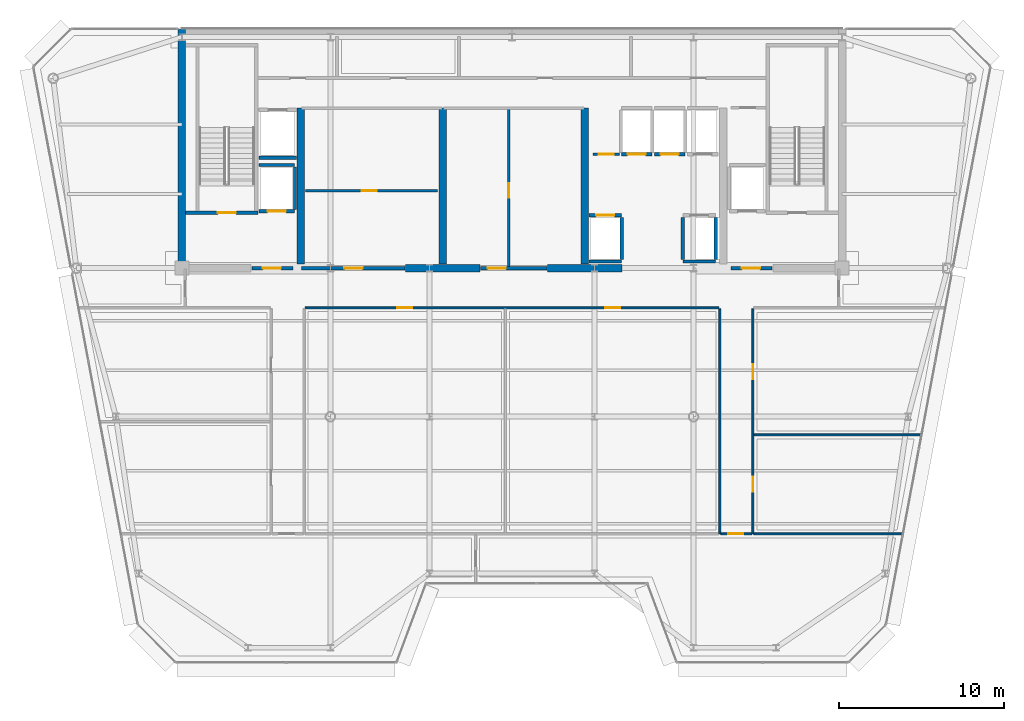
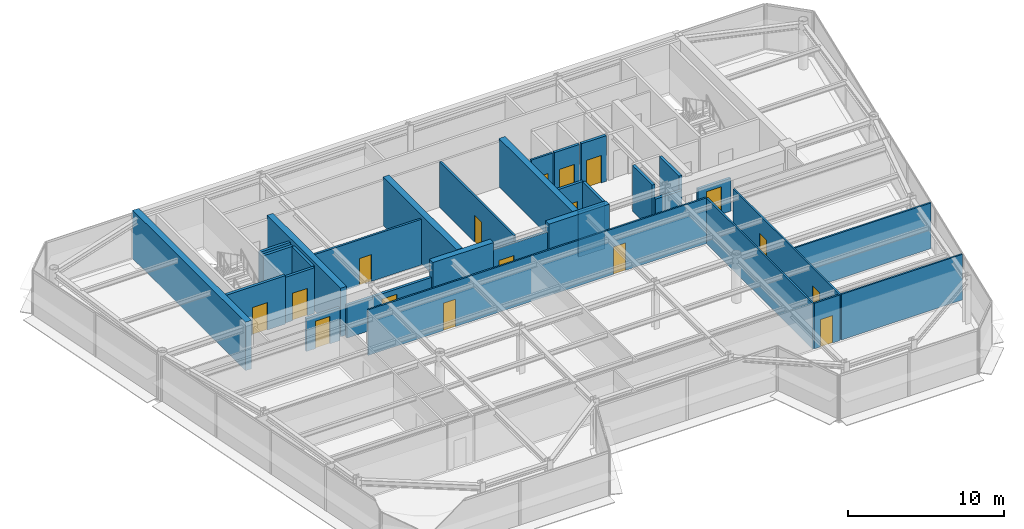
# One storey, part 11 of 20: 32 walls, 17 doors, 17 openings.
"""IFC4 building model written with IfcOpenShell, lengths in metres."""

from ifc_helpers import new_model, si_unit, direction, frame, frame_2d, origin, place, context, subcontext, project, spatial, rectangle, extrude, source, transform, mapped, material, layer, layer_set, type_object, element, fill, save


model = new_model("IFC4")

# Units and contexts
model_context = context("Model", 3, precision=1e-05, world=origin(), true_north=direction((0.0, 1.0)))
body_context = subcontext(model_context, "Body", "Model", "MODEL_VIEW")
ifc_project = project(units=[si_unit("LENGTHUNIT", "METRE"), si_unit("AREAUNIT", "SQUARE_METRE"), si_unit("VOLUMEUNIT", "CUBIC_METRE"), si_unit("PLANEANGLEUNIT", "RADIAN"), si_unit("MASSUNIT", "GRAM", prefix="KILO")], contexts=[model_context])

# Site, building, storey
site_placement = place(None, origin())
site = spatial("IfcSite", under=ifc_project, at=site_placement, CompositionType="ELEMENT")
building_placement = place(site_placement, origin())
building = spatial("IfcBuilding", under=site, at=building_placement, Name="Vaeldorn Concourse Tower", CompositionType="ELEMENT")
storey_placement = place(building_placement, frame((0.0, 0.0, 284.0)))
storey = spatial("IfcBuildingStorey", under=building, at=storey_placement, Name="L73", CompositionType="ELEMENT", Elevation=284.0)

# Walls
ifc_material_1 = material(Name="Concrete C50/60", Category="concrete")
ifc_layer_1 = layer(ifc_material_1, 0.449951171875)
ifc_layer_set_1 = layer_set([ifc_layer_1], Name="Concrete C50/60")
wall_type_1 = type_object("IfcWallType", Name="WL-CORE-450", PredefinedType="SHEAR", material=ifc_layer_set_1)
wall_1_placement = place(storey_placement, frame((14.0, 36.5, 0.0), z_axis=(0.0, 0.0, 1.0), x_axis=(0.0, 1.0, 0.0)))
element("IfcWall", 1, at=wall_1_placement, inside=storey, type_object=wall_type_1, Name="Rear Core Shear Wall L73 W1", PredefinedType="SHEAR", context=body_context, shape_type="SweptSolid", body=[
    extrude(rectangle(XDim=14.5, YDim=0.449951171875, at=frame_2d((7.25, 0.0))), origin(), (0.0, 0.0, 1.0), 3.800048828125),
])
for number, where, z_axis, x_axis, name in (
    (2, (27.550048828125, 36.5, 0.0), (0.0, 0.0, 1.0), (1.0, 0.0, 0.0), "Rear Core Shear Wall L73 S2"),
    (3, (36.14990234375, 36.5, 0.0), (0.0, 0.0, 1.0), (1.0, 0.0, 0.0), "Rear Core Shear Wall L73 S3"),
):
    element("IfcWall", number, at=place(storey_placement, frame(where, z_axis=z_axis, x_axis=x_axis)), inside=storey, type_object=wall_type_1, Name=name, PredefinedType="SHEAR", context=body_context, shape_type="SweptSolid", body=[
        extrude(rectangle(XDim=4.5, YDim=0.449951171875, at=frame_2d((2.25, 0.0))), origin(), (0.0, 0.0, 1.0), 3.800048828125),
    ])
for number, where, z_axis, x_axis, name in (
    (4, (21.199951171875, 36.7451171875, 0.0), (0.0, 0.0, 1.0), (0.0, 1.0, 0.0), "Rear Core Shear Wall L73 M1"),
    (5, (29.800048828125, 36.7451171875, 0.0), (0.0, 0.0, 1.0), (0.0, 1.0, 0.0), "Rear Core Shear Wall L73 M2"),
    (6, (38.39990234375, 36.7451171875, 0.0), (0.0, 0.0, 1.0), (0.0, 1.0, 0.0), "Rear Core Shear Wall L73 M3"),
):
    element("IfcWall", number, at=place(storey_placement, frame(where, z_axis=z_axis, x_axis=x_axis)), inside=storey, type_object=wall_type_1, Name=name, PredefinedType="SHEAR", context=body_context, shape_type="SweptSolid", body=[
        extrude(rectangle(XDim=9.454833984375, YDim=0.449951171875, at=frame_2d((4.7275390625, 0.0))), origin(), (0.0, 0.0, 1.0), 3.800048828125),
    ])

# Wall, openings, doors
ifc_material_2 = material(Name="Gypsum Board Partition", Category="gypsum")
ifc_layer_2 = layer(ifc_material_2, 0.1201171875)
ifc_layer_set_2 = layer_set([ifc_layer_2], Name="Gypsum Board Partition")
wall_type_2 = type_object("IfcWallType", Name="WL-PART-120", PredefinedType="PARTITIONING", material=ifc_layer_set_2)
wall_2_placement = place(storey_placement, frame((21.4599609375, 34.10009765625, 0.0), z_axis=(0.0, 0.0, 1.0), x_axis=(1.0, 0.0, 0.0)))
wall_2 = element("IfcWall", 7, at=wall_2_placement, inside=storey, type_object=wall_type_2, Name="Interior Wall PW-L73-CEWS", PredefinedType="PARTITIONING", context=body_context, shape_type="SweptSolid", body=[
    extrude(rectangle(XDim=25.080078125, YDim=0.1201171875, at=frame_2d((12.5400390625, 0.0))), origin(), (0.0, 0.0, 1.0), 3.580078125),
])
opening_1_placement = place(wall_2_placement, frame((5.590087890625, 0.0, 0.0)))
opening_1 = element("IfcOpeningElement", 8, at=opening_1_placement, cuts=wall_2, Name="Opening D-03", PredefinedType="OPENING", context=body_context, shape_type="SweptSolid", body=[
    extrude(rectangle(XDim=0.89990234375, YDim=2.14990234375, at=frame_2d((0.449951171875, 1.074951171875))), frame((0.0, 0.070068359375, 0.0), z_axis=(0.0, -1.0, 0.0), x_axis=(1.0, 0.0, 0.0)), (0.0, 0.0, 1.0), 0.14013671875),
])
opening_2_placement = place(wall_2_placement, frame((18.18994140625, 0.0, 0.0)))
opening_2 = element("IfcOpeningElement", 9, at=opening_2_placement, cuts=wall_2, Name="Opening D-03", PredefinedType="OPENING", context=body_context, shape_type="SweptSolid", body=[
    extrude(rectangle(XDim=0.89990234375, YDim=2.14990234375, at=frame_2d((0.449951171875, 1.074951171875))), frame((0.0, 0.070068359375, 0.0), z_axis=(0.0, -1.0, 0.0), x_axis=(1.0, 0.0, 0.0)), (0.0, 0.0, 1.0), 0.14013671875),
])
ifc_material_3 = material(Name="Acoustic Bronze-Framed Glass Door", Category="glass")
door_type_1 = type_object("IfcDoorType", Name="DR-INT-900", OperationType="NOTDEFINED", PredefinedType="DOOR", material=ifc_material_3)
shared_shape_1 = source(origin(), body_context, "Body", "SweptSolid", [
    extrude(rectangle(XDim=0.89990234375, YDim=2.14990234375, at=frame_2d((0.449951171875, 1.074951171875))), frame((0.0, 0.02490234375, 0.0), z_axis=(0.0, -1.0, 0.0), x_axis=(1.0, 0.0, 0.0)), (0.0, 0.0, 1.0), 0.050048828125),
])
door_1_placement = place(opening_1_placement, origin())
door_1 = element("IfcDoor", 10, at=door_1_placement, inside=storey, type_object=door_type_1, Name="Interior Door DR-L73-H1", OperationType="SINGLE_SWING_LEFT", OverallHeight=2.14990234375, OverallWidth=0.89990234375, PredefinedType="DOOR", context=body_context, shape_type="MappedRepresentation", body=[
    mapped(shared_shape_1, transform((0.0, 0.0, 0.0), scale=1.0)),
])
fill(opening_1, door_1)
door_2_placement = place(opening_2_placement, origin())
door_2 = element("IfcDoor", 11, at=door_2_placement, inside=storey, type_object=door_type_1, Name="Interior Door DR-L73-H2", OperationType="SINGLE_SWING_RIGHT", OverallHeight=2.14990234375, OverallWidth=0.89990234375, PredefinedType="DOOR", context=body_context, shape_type="MappedRepresentation", body=[
    mapped(shared_shape_1, transform((0.0, 0.0, 0.0), scale=1.0)),
])
fill(opening_2, door_2)

# Wall
wall_3_placement = place(storey_placement, frame((46.60009765625, 20.39990234375, 0.0), z_axis=(0.0, 0.0, 1.0), x_axis=(0.0, 1.0, 0.0)))
element("IfcWall", 12, at=wall_3_placement, inside=storey, type_object=wall_type_2, Name="Interior Wall PW-L73-CEW", PredefinedType="PARTITIONING", context=body_context, shape_type="SweptSolid", body=[
    extrude(rectangle(XDim=13.64013671875, YDim=0.1201171875, at=frame_2d((6.820068359375, 0.0))), origin(), (0.0, 0.0, 1.0), 3.580078125),
])

# Wall, openings, doors
wall_4_placement = place(storey_placement, frame((48.60009765625, 20.39990234375, 0.0), z_axis=(0.0, 0.0, 1.0), x_axis=(0.0, 1.0, 0.0)))
wall_4 = element("IfcWall", 13, at=wall_4_placement, inside=storey, type_object=wall_type_2, Name="Interior Wall PW-L73-CEE", PredefinedType="PARTITIONING", context=body_context, shape_type="SweptSolid", body=[
    extrude(rectangle(XDim=13.64013671875, YDim=0.1201171875, at=frame_2d((6.820068359375, 0.0))), origin(), (0.0, 0.0, 1.0), 3.580078125),
])
opening_3_placement = place(wall_4_placement, frame((2.550048828125, 0.0, 0.0)))
opening_3 = element("IfcOpeningElement", 14, at=opening_3_placement, cuts=wall_4, Name="Opening D-03", PredefinedType="OPENING", context=body_context, shape_type="SweptSolid", body=[
    extrude(rectangle(XDim=0.89990234375, YDim=2.14990234375, at=frame_2d((0.449951171875, 1.074951171875))), frame((0.0, 0.070068359375, 0.0), z_axis=(0.0, -1.0, 0.0), x_axis=(1.0, 0.0, 0.0)), (0.0, 0.0, 1.0), 0.14013671875),
])
opening_4_placement = place(wall_4_placement, frame((9.3701171875, 0.0, 0.0)))
opening_4 = element("IfcOpeningElement", 15, at=opening_4_placement, cuts=wall_4, Name="Opening D-03", PredefinedType="OPENING", context=body_context, shape_type="SweptSolid", body=[
    extrude(rectangle(XDim=0.89990234375, YDim=2.14990234375, at=frame_2d((0.449951171875, 1.074951171875))), frame((0.0, 0.070068359375, 0.0), z_axis=(0.0, -1.0, 0.0), x_axis=(1.0, 0.0, 0.0)), (0.0, 0.0, 1.0), 0.14013671875),
])
door_3_placement = place(opening_3_placement, origin())
door_3 = element("IfcDoor", 16, at=door_3_placement, inside=storey, type_object=door_type_1, Name="Interior Door DR-L73-E1", OperationType="SINGLE_SWING_RIGHT", OverallHeight=2.14990234375, OverallWidth=0.89990234375, PredefinedType="DOOR", context=body_context, shape_type="MappedRepresentation", body=[
    mapped(shared_shape_1, transform((0.0, 0.0, 0.0), scale=1.0)),
])
fill(opening_3, door_3)
door_4_placement = place(opening_4_placement, origin())
door_4 = element("IfcDoor", 17, at=door_4_placement, inside=storey, type_object=door_type_1, Name="Interior Door DR-L73-E2", OperationType="SINGLE_SWING_LEFT", OverallHeight=2.14990234375, OverallWidth=0.89990234375, PredefinedType="DOOR", context=body_context, shape_type="MappedRepresentation", body=[
    mapped(shared_shape_1, transform((0.0, 0.0, 0.0), scale=1.0)),
])
fill(opening_4, door_4)

# Wall, opening, door
wall_5_placement = place(storey_placement, frame((46.659912109375, 20.39990234375, 0.0), z_axis=(0.0, 0.0, 1.0), x_axis=(1.0, 0.0, 0.0)))
wall_5 = element("IfcWall", 18, at=wall_5_placement, inside=storey, type_object=wall_type_2, Name="Interior Wall PW-L73-CES", PredefinedType="PARTITIONING", context=body_context, shape_type="SweptSolid", body=[
    extrude(rectangle(XDim=1.880126953125, YDim=0.1201171875, at=frame_2d((0.93994140625, 0.0))), origin(), (0.0, 0.0, 1.0), 3.580078125),
])
opening_5_placement = place(wall_5_placement, frame((0.449951171875, 0.0, 0.0)))
opening_5 = element("IfcOpeningElement", 19, at=opening_5_placement, cuts=wall_5, Name="Opening D-03", PredefinedType="OPENING", context=body_context, shape_type="SweptSolid", body=[
    extrude(rectangle(XDim=0.89990234375, YDim=2.14990234375, at=frame_2d((0.449951171875, 1.074951171875))), frame((0.0, 0.070068359375, 0.0), z_axis=(0.0, -1.0, 0.0), x_axis=(1.0, 0.0, 0.0)), (0.0, 0.0, 1.0), 0.14013671875),
])
door_5_placement = place(opening_5_placement, origin())
door_5 = element("IfcDoor", 20, at=door_5_placement, inside=storey, type_object=door_type_1, Name="Interior Door DR-L73-SEL", OperationType="SINGLE_SWING_RIGHT", OverallHeight=2.14990234375, OverallWidth=0.89990234375, PredefinedType="DOOR", context=body_context, shape_type="MappedRepresentation", body=[
    mapped(shared_shape_1, transform((0.0, 0.0, 0.0), scale=1.0)),
])
fill(opening_5, door_5)

# Walls
wall_6_placement = place(storey_placement, frame((48.659912109375, 20.39990234375, 0.0), z_axis=(0.0, 0.0, 1.0), x_axis=(1.0, 0.0, 0.0)))
element("IfcWall", 21, at=wall_6_placement, inside=storey, type_object=wall_type_2, Name="Interior Wall PW-L73-EY0", PredefinedType="PARTITIONING", context=body_context, shape_type="SweptSolid", body=[
    extrude(rectangle(XDim=8.9951171875, YDim=0.1201171875, at=frame_2d((4.49755859375, 0.0))), origin(), (0.0, 0.0, 1.0), 3.580078125),
])
wall_7_placement = place(storey_placement, frame((48.659912109375, 26.39990234375, 0.0), z_axis=(0.0, 0.0, 1.0), x_axis=(1.0, 0.0, 0.0)))
element("IfcWall", 22, at=wall_7_placement, inside=storey, type_object=wall_type_2, Name="Interior Wall PW-L73-EY1", PredefinedType="PARTITIONING", context=body_context, shape_type="SweptSolid", body=[
    extrude(rectangle(XDim=10.119873046875, YDim=0.1201171875, at=frame_2d((5.06005859375, 0.0))), origin(), (0.0, 0.0, 1.0), 3.580078125),
])

# Wall, opening, door
ifc_layer_3 = layer(ifc_material_2, 0.14990234375)
ifc_layer_set_3 = layer_set([ifc_layer_3], Name="Gypsum Board Partition")
wall_type_3 = type_object("IfcWallType", Name="WL-PART-150", PredefinedType="PARTITIONING", material=ifc_layer_set_3)
wall_8_placement = place(storey_placement, frame((21.5, 41.199951171875, 0.0), z_axis=(0.0, 0.0, 1.0), x_axis=(1.0, 0.0, 0.0)))
wall_8 = element("IfcWall", 23, at=wall_8_placement, inside=storey, type_object=wall_type_3, Name="Interior Wall CW-L73-R1M", PredefinedType="PARTITIONING", context=body_context, shape_type="SweptSolid", body=[
    extrude(rectangle(XDim=8.0, YDim=0.14990234375, at=frame_2d((4.0, 0.0))), origin(), (0.0, 0.0, 1.0), 3.580078125),
])
opening_6_placement = place(wall_8_placement, frame((3.39990234375, 0.0, 0.0)))
opening_6 = element("IfcOpeningElement", 24, at=opening_6_placement, cuts=wall_8, Name="Opening D-02", PredefinedType="OPENING", context=body_context, shape_type="SweptSolid", body=[
    extrude(rectangle(XDim=0.89990234375, YDim=2.10009765625, at=frame_2d((0.449951171875, 1.050048828125))), frame((0.0, 0.0849609375, 0.0), z_axis=(0.0, -1.0, 0.0), x_axis=(1.0, 0.0, 0.0)), (0.0, 0.0, 1.0), 0.169921875),
])
ifc_material_4 = material(Name="Fire-Rated Timber Leaf", Category="wood")
door_type_2 = type_object("IfcDoorType", Name="DR-FD30-900", OperationType="NOTDEFINED", PredefinedType="DOOR", material=ifc_material_4)
shared_shape_2 = source(origin(), body_context, "Body", "SweptSolid", [
    extrude(rectangle(XDim=0.89990234375, YDim=2.10009765625, at=frame_2d((0.449951171875, 1.050048828125))), frame((0.0, 0.02490234375, 0.0), z_axis=(0.0, -1.0, 0.0), x_axis=(1.0, 0.0, 0.0)), (0.0, 0.0, 1.0), 0.050048828125),
])
door_6_placement = place(opening_6_placement, origin())
door_6 = element("IfcDoor", 25, at=door_6_placement, inside=storey, type_object=door_type_2, Name="Interior Door DR-L73-R1M", OperationType="SINGLE_SWING_RIGHT", OverallHeight=2.10009765625, OverallWidth=0.89990234375, PredefinedType="DOOR", context=body_context, shape_type="MappedRepresentation", body=[
    mapped(shared_shape_2, transform((0.0, 0.0, 0.0), scale=1.0)),
])
fill(opening_6, door_6)

wall_9_placement = place(storey_placement, frame((33.800048828125, 36.56005859375, 0.0), z_axis=(0.0, 0.0, 1.0), x_axis=(0.0, 1.0, 0.0)))
wall_9 = element("IfcWall", 26, at=wall_9_placement, inside=storey, type_object=wall_type_3, Name="Interior Wall CW-L73-R2M", PredefinedType="PARTITIONING", context=body_context, shape_type="SweptSolid", body=[
    extrude(rectangle(XDim=9.579833984375, YDim=0.14990234375, at=frame_2d((4.7900390625, 0.0))), origin(), (0.0, 0.0, 1.0), 3.580078125),
])
opening_7_placement = place(wall_9_placement, frame((4.199951171875, 0.0, 0.0)))
opening_7 = element("IfcOpeningElement", 27, at=opening_7_placement, cuts=wall_9, Name="Opening D-02", PredefinedType="OPENING", context=body_context, shape_type="SweptSolid", body=[
    extrude(rectangle(XDim=0.89990234375, YDim=2.10009765625, at=frame_2d((0.449951171875, 1.050048828125))), frame((0.0, 0.0849609375, 0.0), z_axis=(0.0, -1.0, 0.0), x_axis=(1.0, 0.0, 0.0)), (0.0, 0.0, 1.0), 0.169921875),
])
door_7_placement = place(opening_7_placement, origin())
door_7 = element("IfcDoor", 28, at=door_7_placement, inside=storey, type_object=door_type_2, Name="Interior Door DR-L73-R2E", OperationType="SINGLE_SWING_RIGHT", OverallHeight=2.10009765625, OverallWidth=0.89990234375, PredefinedType="DOOR", context=body_context, shape_type="MappedRepresentation", body=[
    mapped(shared_shape_2, transform((0.0, 0.0, 0.0), scale=1.0)),
])
fill(opening_7, door_7)

wall_10_placement = place(storey_placement, frame((38.919921875, 43.39990234375, 0.0), z_axis=(0.0, 0.0, 1.0), x_axis=(1.0, 0.0, 0.0)))
wall_10 = element("IfcWall", 29, at=wall_10_placement, inside=storey, type_object=wall_type_3, Name="Interior Wall CW-L73-CCLINK", PredefinedType="PARTITIONING", context=body_context, shape_type="SweptSolid", body=[
    extrude(rectangle(XDim=1.60009765625, YDim=0.14990234375, at=frame_2d((0.800048828125, 0.0))), origin(), (0.0, 0.0, 1.0), 3.580078125),
])
opening_8_placement = place(wall_10_placement, frame((0.35009765625, 0.0, 0.0)))
opening_8 = element("IfcOpeningElement", 30, at=opening_8_placement, cuts=wall_10, Name="Opening D-02", PredefinedType="OPENING", context=body_context, shape_type="SweptSolid", body=[
    extrude(rectangle(XDim=0.89990234375, YDim=2.10009765625, at=frame_2d((0.449951171875, 1.050048828125))), frame((0.0, 0.0849609375, 0.0), z_axis=(0.0, -1.0, 0.0), x_axis=(1.0, 0.0, 0.0)), (0.0, 0.0, 1.0), 0.169921875),
])
door_8_placement = place(opening_8_placement, origin())
door_8 = element("IfcDoor", 31, at=door_8_placement, inside=storey, type_object=door_type_2, Name="Interior Door DR-L73-CCLINK", OperationType="SINGLE_SWING_LEFT", OverallHeight=2.10009765625, OverallWidth=0.89990234375, PredefinedType="DOOR", context=body_context, shape_type="MappedRepresentation", body=[
    mapped(shared_shape_2, transform((0.0, 0.0, 0.0), scale=1.0)),
])
fill(opening_8, door_8)

ifc_layer_4 = layer(ifc_material_1, 0.199951171875)
ifc_layer_set_4 = layer_set([ifc_layer_4], Name="Concrete C50/60")
wall_type_4 = type_object("IfcWallType", Name="WL-SHAFT-200", PredefinedType="SOLIDWALL", material=ifc_layer_set_4)
wall_11_placement = place(storey_placement, frame((14.22509765625, 39.85009765625, 0.0), z_axis=(0.0, 0.0, 1.0), x_axis=(1.0, 0.0, 0.0)))
wall_11 = element("IfcWall", 32, at=wall_11_placement, inside=storey, type_object=wall_type_4, Name="Stair Shaft Wall CW-L73-ST-1-S", PredefinedType="SOLIDWALL", context=body_context, shape_type="SweptSolid", body=[
    extrude(rectangle(XDim=4.375, YDim=0.199951171875, at=frame_2d((2.1875, 0.0))), origin(), (0.0, 0.0, 1.0), 3.800048828125),
])
opening_9_placement = place(wall_11_placement, frame((1.949951171875, 0.0, 0.0)))
opening_9 = element("IfcOpeningElement", 33, at=opening_9_placement, cuts=wall_11, Name="Opening D-01", PredefinedType="OPENING", context=body_context, shape_type="SweptSolid", body=[
    extrude(rectangle(XDim=1.10009765625, YDim=2.14990234375, at=frame_2d((0.550048828125, 1.074951171875))), frame((0.0, 0.10986328125, 0.0), z_axis=(0.0, -1.0, 0.0), x_axis=(1.0, 0.0, 0.0)), (0.0, 0.0, 1.0), 0.219970703125),
])
ifc_material_5 = material(Name="Fire-Rated Timber and Steel Leaf", Category="steel")
door_type_3 = type_object("IfcDoorType", Name="DR-FD60-1100", OperationType="NOTDEFINED", PredefinedType="DOOR", material=ifc_material_5)
shared_shape_3 = source(origin(), body_context, "Body", "SweptSolid", [
    extrude(rectangle(XDim=1.10009765625, YDim=2.14990234375, at=frame_2d((0.550048828125, 1.074951171875))), frame((0.0, 0.02490234375, 0.0), z_axis=(0.0, -1.0, 0.0), x_axis=(1.0, 0.0, 0.0)), (0.0, 0.0, 1.0), 0.050048828125),
])
door_9_placement = place(opening_9_placement, origin())
door_9 = element("IfcDoor", 34, at=door_9_placement, inside=storey, type_object=door_type_3, Name="Interior Door DR-L73-ST-1", OperationType="SINGLE_SWING_LEFT", OverallHeight=2.14990234375, OverallWidth=1.10009765625, PredefinedType="DOOR", context=body_context, shape_type="MappedRepresentation", body=[
    mapped(shared_shape_3, transform((0.0, 0.0, 0.0), scale=1.0)),
])
fill(opening_9, door_9)

wall_12_placement = place(storey_placement, frame((18.25, 36.5, 0.0), z_axis=(0.0, 0.0, 1.0), x_axis=(1.0, 0.0, 0.0)))
wall_12 = element("IfcWall", 35, at=wall_12_placement, inside=storey, type_object=wall_type_4, Name="Interior Wall CW-L73-FF1S", PredefinedType="SOLIDWALL", context=body_context, shape_type="SweptSolid", body=[
    extrude(rectangle(XDim=2.469970703125, YDim=0.199951171875, at=frame_2d((1.23486328125, 0.0))), origin(), (0.0, 0.0, 1.0), 2.570068359375),
])
opening_10_placement = place(wall_12_placement, frame((0.64990234375, 0.0, 0.0)))
opening_10 = element("IfcOpeningElement", 36, at=opening_10_placement, cuts=wall_12, Name="Opening D-01", PredefinedType="OPENING", context=body_context, shape_type="SweptSolid", body=[
    extrude(rectangle(XDim=1.10009765625, YDim=2.14990234375, at=frame_2d((0.550048828125, 1.074951171875))), frame((0.0, 0.10986328125, 0.0), z_axis=(0.0, -1.0, 0.0), x_axis=(1.0, 0.0, 0.0)), (0.0, 0.0, 1.0), 0.219970703125),
])
door_10_placement = place(opening_10_placement, origin())
door_10 = element("IfcDoor", 37, at=door_10_placement, inside=storey, type_object=door_type_3, Name="Interior Door DR-L73-FF1E", OperationType="SINGLE_SWING_RIGHT", OverallHeight=2.14990234375, OverallWidth=1.10009765625, PredefinedType="DOOR", context=body_context, shape_type="MappedRepresentation", body=[
    mapped(shared_shape_3, transform((0.0, 0.0, 0.0), scale=1.0)),
])
fill(opening_10, door_10)

wall_13_placement = place(storey_placement, frame((47.280029296875, 36.5, 0.0), z_axis=(0.0, 0.0, 1.0), x_axis=(1.0, 0.0, 0.0)))
wall_13 = element("IfcWall", 38, at=wall_13_placement, inside=storey, type_object=wall_type_4, Name="Interior Wall CW-L73-FF2S", PredefinedType="SOLIDWALL", context=body_context, shape_type="SweptSolid", body=[
    extrude(rectangle(XDim=2.469970703125, YDim=0.199951171875, at=frame_2d((1.23486328125, 0.0))), origin(), (0.0, 0.0, 1.0), 2.570068359375),
])
opening_11_placement = place(wall_13_placement, frame((0.64990234375, 0.0, 0.0)))
opening_11 = element("IfcOpeningElement", 39, at=opening_11_placement, cuts=wall_13, Name="Opening D-01", PredefinedType="OPENING", context=body_context, shape_type="SweptSolid", body=[
    extrude(rectangle(XDim=1.10009765625, YDim=2.14990234375, at=frame_2d((0.550048828125, 1.074951171875))), frame((0.0, 0.10986328125, 0.0), z_axis=(0.0, -1.0, 0.0), x_axis=(1.0, 0.0, 0.0)), (0.0, 0.0, 1.0), 0.219970703125),
])
door_11_placement = place(opening_11_placement, origin())
door_11 = element("IfcDoor", 40, at=door_11_placement, inside=storey, type_object=door_type_3, Name="Interior Door DR-L73-FF2W", OperationType="SINGLE_SWING_LEFT", OverallHeight=2.14990234375, OverallWidth=1.10009765625, PredefinedType="DOOR", context=body_context, shape_type="MappedRepresentation", body=[
    mapped(shared_shape_3, transform((0.0, 0.0, 0.0), scale=1.0)),
])
fill(opening_11, door_11)

wall_14_placement = place(storey_placement, frame((38.669921875, 39.699951171875, 0.0), z_axis=(0.0, 0.0, 1.0), x_axis=(1.0, 0.0, 0.0)))
wall_14 = element("IfcWall", 41, at=wall_14_placement, inside=storey, type_object=wall_type_4, Name="Interior Wall CW-L73-LF-LF-13", PredefinedType="SOLIDWALL", context=body_context, shape_type="SweptSolid", body=[
    extrude(rectangle(XDim=1.9599609375, YDim=0.199951171875, at=frame_2d((0.97998046875, 0.0))), origin(), (0.0, 0.0, 1.0), 3.580078125),
])
opening_12_placement = place(wall_14_placement, frame((0.429931640625, 0.0, 0.0)))
opening_12 = element("IfcOpeningElement", 42, at=opening_12_placement, cuts=wall_14, Name="Opening LD-1", PredefinedType="OPENING", context=body_context, shape_type="SweptSolid", body=[
    extrude(rectangle(XDim=1.10009765625, YDim=2.14990234375, at=frame_2d((0.550048828125, 1.074951171875))), frame((0.0, 0.10986328125, 0.0), z_axis=(0.0, -1.0, 0.0), x_axis=(1.0, 0.0, 0.0)), (0.0, 0.0, 1.0), 0.219970703125),
])
ifc_material_6 = material(Name="Anodised Bronze Aluminium", Category="aluminium")
door_type_4 = type_object("IfcDoorType", Name="DR-LIFT-SLIDE-1100", OperationType="DOUBLE_DOOR_SLIDING", PredefinedType="DOOR", material=ifc_material_6)
door_12_placement = place(opening_12_placement, origin())
door_12 = element("IfcDoor", 43, at=door_12_placement, inside=storey, type_object=door_type_4, Name="Lift Landing Door LD-L73-LF-13", OperationType="DOUBLE_DOOR_SLIDING", OverallHeight=2.14990234375, OverallWidth=1.10009765625, PredefinedType="DOOR", context=body_context, shape_type="MappedRepresentation", body=[
    mapped(shared_shape_3, transform((0.0, 0.0, 0.0), scale=1.0)),
])
fill(opening_12, door_12)

# Walls
wall_15_placement = place(storey_placement, frame((38.669921875, 36.89990234375, 0.0), z_axis=(0.0, 0.0, 1.0), x_axis=(1.0, 0.0, 0.0)))
element("IfcWall", 44, at=wall_15_placement, inside=storey, type_object=wall_type_4, Name="Interior Wall CW-L73-LFB-LF-13", PredefinedType="SOLIDWALL", context=body_context, shape_type="SweptSolid", body=[
    extrude(rectangle(XDim=1.9599609375, YDim=0.199951171875, at=frame_2d((0.97998046875, 0.0))), origin(), (0.0, 0.0, 1.0), 3.580078125),
])
wall_16_placement = place(storey_placement, frame((40.64990234375, 37.02001953125, 0.0), z_axis=(0.0, 0.0, 1.0), x_axis=(0.0, 1.0, 0.0)))
element("IfcWall", 45, at=wall_16_placement, inside=storey, type_object=wall_type_4, Name="Interior Wall CW-L73-LFE-LF-13", PredefinedType="SOLIDWALL", context=body_context, shape_type="SweptSolid", body=[
    extrude(rectangle(XDim=2.56005859375, YDim=0.199951171875, at=frame_2d((1.280029296875, 0.0))), origin(), (0.0, 0.0, 1.0), 3.580078125),
])
wall_17_placement = place(storey_placement, frame((44.3701171875, 36.89990234375, 0.0), z_axis=(0.0, 0.0, 1.0), x_axis=(1.0, 0.0, 0.0)))
element("IfcWall", 46, at=wall_17_placement, inside=storey, type_object=wall_type_4, Name="Interior Wall CW-L73-LFB-LF-14", PredefinedType="SOLIDWALL", context=body_context, shape_type="SweptSolid", body=[
    extrude(rectangle(XDim=1.9599609375, YDim=0.199951171875, at=frame_2d((0.97998046875, 0.0))), origin(), (0.0, 0.0, 1.0), 2.570068359375),
])
for number, where, z_axis, x_axis, name in (
    (47, (44.35009765625, 37.02001953125, 0.0), (0.0, 0.0, 1.0), (0.0, 1.0, 0.0), "Interior Wall CW-L73-LFW-LF-14"),
    (48, (46.35009765625, 37.02001953125, 0.0), (0.0, 0.0, 1.0), (0.0, 1.0, 0.0), "Interior Wall CW-L73-LFE-LF-14"),
):
    element("IfcWall", number, at=place(storey_placement, frame(where, z_axis=z_axis, x_axis=x_axis)), inside=storey, type_object=wall_type_4, Name=name, PredefinedType="SOLIDWALL", context=body_context, shape_type="SweptSolid", body=[
        extrude(rectangle(XDim=2.56005859375, YDim=0.199951171875, at=frame_2d((1.280029296875, 0.0))), origin(), (0.0, 0.0, 1.0), 3.580078125),
    ])

# Wall, opening, door
wall_18_placement = place(storey_placement, frame((40.6201171875, 43.39990234375, 0.0), z_axis=(0.0, 0.0, 1.0), x_axis=(1.0, 0.0, 0.0)))
wall_18 = element("IfcWall", 49, at=wall_18_placement, inside=storey, type_object=wall_type_4, Name="Interior Wall CW-L73-LF-LF-15", PredefinedType="SOLIDWALL", context=body_context, shape_type="SweptSolid", body=[
    extrude(rectangle(XDim=1.85986328125, YDim=0.199951171875, at=frame_2d((0.929931640625, 0.0))), origin(), (0.0, 0.0, 1.0), 3.580078125),
])
opening_13_placement = place(wall_18_placement, frame((0.3798828125, 0.0, 0.0)))
opening_13 = element("IfcOpeningElement", 50, at=opening_13_placement, cuts=wall_18, Name="Opening LD-1", PredefinedType="OPENING", context=body_context, shape_type="SweptSolid", body=[
    extrude(rectangle(XDim=1.10009765625, YDim=2.14990234375, at=frame_2d((0.550048828125, 1.074951171875))), frame((0.0, 0.10986328125, 0.0), z_axis=(0.0, -1.0, 0.0), x_axis=(1.0, 0.0, 0.0)), (0.0, 0.0, 1.0), 0.219970703125),
])
door_13_placement = place(opening_13_placement, origin())
door_13 = element("IfcDoor", 51, at=door_13_placement, inside=storey, type_object=door_type_4, Name="Lift Landing Door LD-L73-LF-15", OperationType="DOUBLE_DOOR_SLIDING", OverallHeight=2.14990234375, OverallWidth=1.10009765625, PredefinedType="DOOR", context=body_context, shape_type="MappedRepresentation", body=[
    mapped(shared_shape_3, transform((0.0, 0.0, 0.0), scale=1.0)),
])
fill(opening_13, door_13)

wall_19_placement = place(storey_placement, frame((42.6201171875, 43.39990234375, 0.0), z_axis=(0.0, 0.0, 1.0), x_axis=(1.0, 0.0, 0.0)))
wall_19 = element("IfcWall", 52, at=wall_19_placement, inside=storey, type_object=wall_type_4, Name="Interior Wall CW-L73-LF-LF-16", PredefinedType="SOLIDWALL", context=body_context, shape_type="SweptSolid", body=[
    extrude(rectangle(XDim=1.85986328125, YDim=0.199951171875, at=frame_2d((0.929931640625, 0.0))), origin(), (0.0, 0.0, 1.0), 3.580078125),
])
opening_14_placement = place(wall_19_placement, frame((0.3798828125, 0.0, 0.0)))
opening_14 = element("IfcOpeningElement", 53, at=opening_14_placement, cuts=wall_19, Name="Opening LD-1", PredefinedType="OPENING", context=body_context, shape_type="SweptSolid", body=[
    extrude(rectangle(XDim=1.10009765625, YDim=2.14990234375, at=frame_2d((0.550048828125, 1.074951171875))), frame((0.0, 0.10986328125, 0.0), z_axis=(0.0, -1.0, 0.0), x_axis=(1.0, 0.0, 0.0)), (0.0, 0.0, 1.0), 0.219970703125),
])
door_14_placement = place(opening_14_placement, origin())
door_14 = element("IfcDoor", 54, at=door_14_placement, inside=storey, type_object=door_type_4, Name="Lift Landing Door LD-L73-LF-16", OperationType="DOUBLE_DOOR_SLIDING", OverallHeight=2.14990234375, OverallWidth=1.10009765625, PredefinedType="DOOR", context=body_context, shape_type="MappedRepresentation", body=[
    mapped(shared_shape_3, transform((0.0, 0.0, 0.0), scale=1.0)),
])
fill(opening_14, door_14)

# Wall
wall_20_placement = place(storey_placement, frame((18.669921875, 43.199951171875, 0.0), z_axis=(0.0, 0.0, 1.0), x_axis=(1.0, 0.0, 0.0)))
element("IfcWall", 55, at=wall_20_placement, inside=storey, type_object=wall_type_4, Name="Interior Wall CW-L73-LFB-LF-SV1", PredefinedType="SOLIDWALL", context=body_context, shape_type="SweptSolid", body=[
    extrude(rectangle(XDim=2.260009765625, YDim=0.199951171875, at=frame_2d((1.1298828125, 0.0))), origin(), (0.0, 0.0, 1.0), 3.580078125),
])

# Wall, opening, door
wall_21_placement = place(storey_placement, frame((18.669921875, 39.949951171875, 0.0), z_axis=(0.0, 0.0, 1.0), x_axis=(1.0, 0.0, 0.0)))
wall_21 = element("IfcWall", 56, at=wall_21_placement, inside=storey, type_object=wall_type_4, Name="Interior Wall CW-L73-LF-LF-FF1", PredefinedType="SOLIDWALL", context=body_context, shape_type="SweptSolid", body=[
    extrude(rectangle(XDim=2.16015625, YDim=0.199951171875, at=frame_2d((1.080078125, 0.0))), origin(), (0.0, 0.0, 1.0), 3.580078125),
])
opening_15_placement = place(wall_21_placement, frame((0.530029296875, 0.0, 0.0)))
opening_15 = element("IfcOpeningElement", 57, at=opening_15_placement, cuts=wall_21, Name="Opening LD-1", PredefinedType="OPENING", context=body_context, shape_type="SweptSolid", body=[
    extrude(rectangle(XDim=1.10009765625, YDim=2.14990234375, at=frame_2d((0.550048828125, 1.074951171875))), frame((0.0, 0.10986328125, 0.0), z_axis=(0.0, -1.0, 0.0), x_axis=(1.0, 0.0, 0.0)), (0.0, 0.0, 1.0), 0.219970703125),
])
door_15_placement = place(opening_15_placement, origin())
door_15 = element("IfcDoor", 58, at=door_15_placement, inside=storey, type_object=door_type_4, Name="Lift Landing Door LD-L73-LF-FF1", OperationType="DOUBLE_DOOR_SLIDING", OverallHeight=2.14990234375, OverallWidth=1.10009765625, PredefinedType="DOOR", context=body_context, shape_type="MappedRepresentation", body=[
    mapped(shared_shape_3, transform((0.0, 0.0, 0.0), scale=1.0)),
])
fill(opening_15, door_15)

# Walls
wall_22_placement = place(storey_placement, frame((18.669921875, 42.75, 0.0), z_axis=(0.0, 0.0, 1.0), x_axis=(1.0, 0.0, 0.0)))
element("IfcWall", 59, at=wall_22_placement, inside=storey, type_object=wall_type_4, Name="Interior Wall CW-L73-LFB-LF-FF1", PredefinedType="SOLIDWALL", context=body_context, shape_type="SweptSolid", body=[
    extrude(rectangle(XDim=2.16015625, YDim=0.199951171875, at=frame_2d((1.080078125, 0.0))), origin(), (0.0, 0.0, 1.0), 3.580078125),
])
wall_23_placement = place(storey_placement, frame((20.85009765625, 40.070068359375, 0.0), z_axis=(0.0, 0.0, 1.0), x_axis=(0.0, 1.0, 0.0)))
element("IfcWall", 60, at=wall_23_placement, inside=storey, type_object=wall_type_4, Name="Interior Wall CW-L73-LFE-LF-FF1", PredefinedType="SOLIDWALL", context=body_context, shape_type="SweptSolid", body=[
    extrude(rectangle(XDim=2.559814453125, YDim=0.199951171875, at=frame_2d((1.27978515625, 0.0))), origin(), (0.0, 0.0, 1.0), 3.580078125),
])

# Wall, opening, door
wall_24_placement = place(storey_placement, frame((21.25, 36.5, 0.0), z_axis=(0.0, 0.0, 1.0), x_axis=(1.0, 0.0, 0.0)))
wall_24 = element("IfcWall", 61, at=wall_24_placement, inside=storey, type_object=wall_type_4, Name="Interior Wall CW-L73-R1S", PredefinedType="SOLIDWALL", context=body_context, shape_type="SweptSolid", body=[
    extrude(rectangle(XDim=6.27001953125, YDim=0.199951171875, at=frame_2d((3.135009765625, 0.0))), origin(), (0.0, 0.0, 1.0), 2.570068359375),
])
opening_16_placement = place(wall_24_placement, frame((2.60009765625, 0.0, 0.0)))
opening_16 = element("IfcOpeningElement", 62, at=opening_16_placement, cuts=wall_24, Name="Opening D-01", PredefinedType="OPENING", context=body_context, shape_type="SweptSolid", body=[
    extrude(rectangle(XDim=1.10009765625, YDim=2.14990234375, at=frame_2d((0.550048828125, 1.074951171875))), frame((0.0, 0.10986328125, 0.0), z_axis=(0.0, -1.0, 0.0), x_axis=(1.0, 0.0, 0.0)), (0.0, 0.0, 1.0), 0.219970703125),
])
door_16_placement = place(opening_16_placement, origin())
door_16 = element("IfcDoor", 63, at=door_16_placement, inside=storey, type_object=door_type_3, Name="Interior Door DR-L73-R1S", OperationType="SINGLE_SWING_LEFT", OverallHeight=2.14990234375, OverallWidth=1.10009765625, PredefinedType="DOOR", context=body_context, shape_type="MappedRepresentation", body=[
    mapped(shared_shape_3, transform((0.0, 0.0, 0.0), scale=1.0)),
])
fill(opening_16, door_16)

wall_25_placement = place(storey_placement, frame((32.080078125, 36.5, 0.0), z_axis=(0.0, 0.0, 1.0), x_axis=(1.0, 0.0, 0.0)))
wall_25 = element("IfcWall", 64, at=wall_25_placement, inside=storey, type_object=wall_type_4, Name="Interior Wall CW-L73-R2S", PredefinedType="SOLIDWALL", context=body_context, shape_type="SweptSolid", body=[
    extrude(rectangle(XDim=4.0400390625, YDim=0.199951171875, at=frame_2d((2.02001953125, 0.0))), origin(), (0.0, 0.0, 1.0), 3.1201171875),
])
opening_17_placement = place(wall_25_placement, frame((0.449951171875, 0.0, 0.0)))
opening_17 = element("IfcOpeningElement", 65, at=opening_17_placement, cuts=wall_25, Name="Opening D-01", PredefinedType="OPENING", context=body_context, shape_type="SweptSolid", body=[
    extrude(rectangle(XDim=1.10009765625, YDim=2.14990234375, at=frame_2d((0.550048828125, 1.074951171875))), frame((0.0, 0.10986328125, 0.0), z_axis=(0.0, -1.0, 0.0), x_axis=(1.0, 0.0, 0.0)), (0.0, 0.0, 1.0), 0.219970703125),
])
door_17_placement = place(opening_17_placement, origin())
door_17 = element("IfcDoor", 66, at=door_17_placement, inside=storey, type_object=door_type_3, Name="Interior Door DR-L73-R2W", OperationType="SINGLE_SWING_LEFT", OverallHeight=2.14990234375, OverallWidth=1.10009765625, PredefinedType="DOOR", context=body_context, shape_type="MappedRepresentation", body=[
    mapped(shared_shape_3, transform((0.0, 0.0, 0.0), scale=1.0)),
])
fill(opening_17, door_17)

save(model, "model.ifc")
